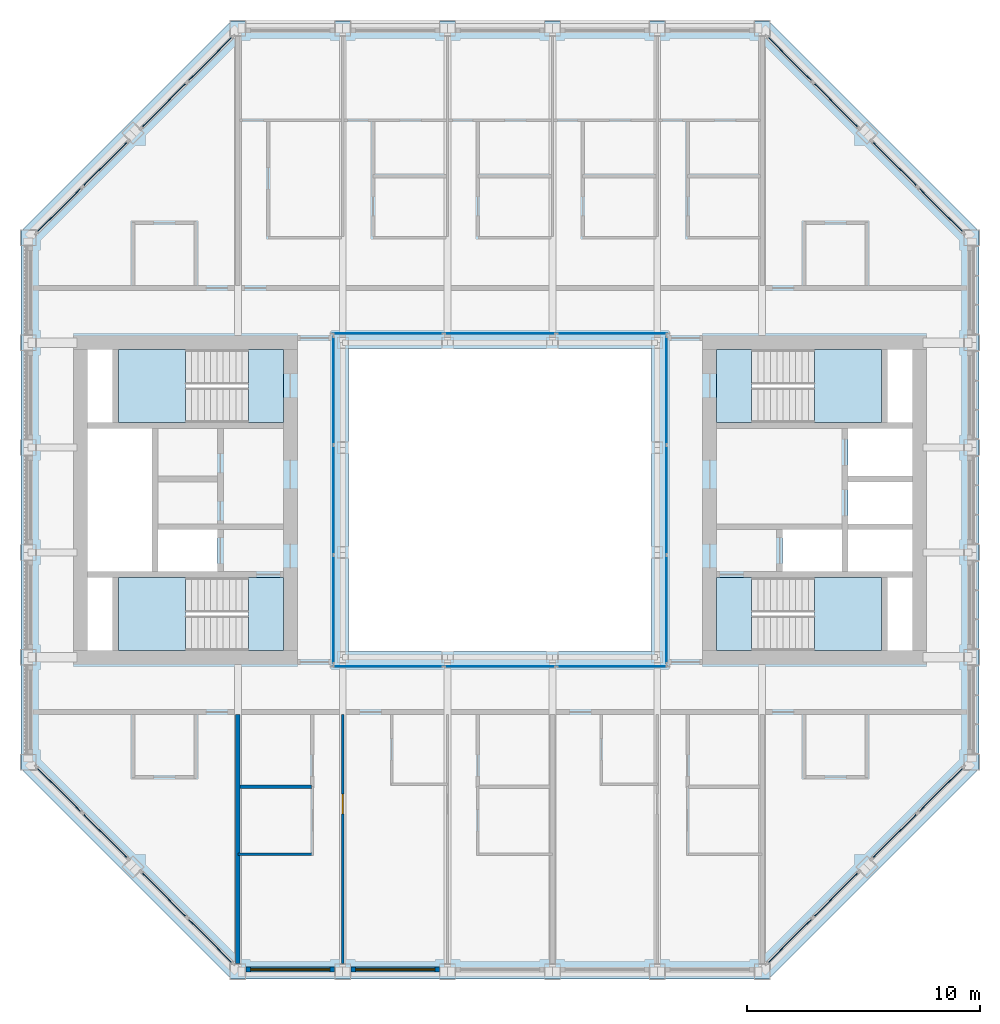
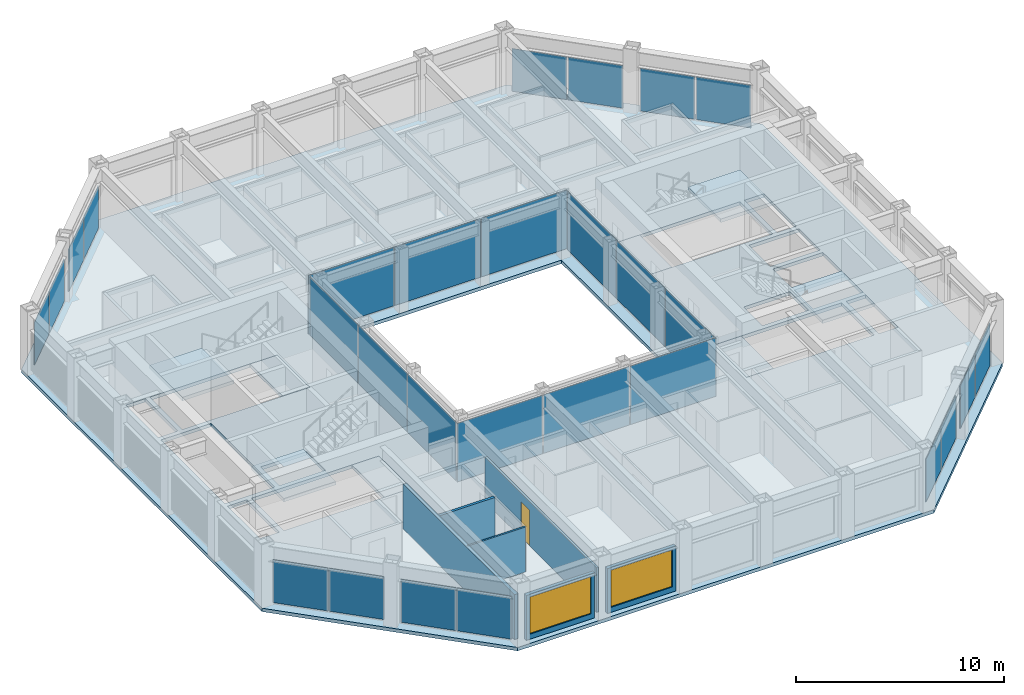
# One storey, part 8 of 18: 28 plates, 9 slabs, 6 walls, 2 windows, 1 door, 3 openings, 16 elements without a shape of their own.
"""IFC4 building model written with IfcOpenShell, lengths in metres."""

import ifcopenshell
import ifcopenshell.guid

model = None  # the IFC model being written
_history = None  # IfcOwnerHistory: only IFC2X3 demands one
_inside = {}  # id of a spatial element -> (the spatial element, [elements in it])
_under = {}  # id of a project, library or spatial element -> (it, [spatial elements below it])
_declared = {}  # id of a project -> (the project, [libraries it declares])
_typed = {}  # id of a type object -> (the type object, [elements of that type])
_made_of = {}  # id of a material, layer set ... -> (it, [elements and type objects made of it])


def new_model(schema):
    """Start an empty IFC model of exactly this schema.

    Asked for "IFC4X3", IfcOpenShell would pick the latest addendum, in which some entities
    have other attributes; the version numbers below select the first issue.
    IFC2X3 requires an IfcOwnerHistory on every rooted entity: one is made here for all.
    """
    global model, _history
    if schema == "IFC4X3":
        model = ifcopenshell.file(schema_version=(4, 3, 0, 0))
    else:
        model = ifcopenshell.file(schema=schema)
    _inside.clear()
    _under.clear()
    _declared.clear()
    _typed.clear()
    _made_of.clear()
    _history = None
    if model.schema == "IFC2X3":
        org = make("IfcOrganization", Name="unknown")
        user = make(
            "IfcPersonAndOrganization",
            ThePerson=make("IfcPerson", FamilyName="unknown"),
            TheOrganization=org,
        )
        app = make(
            "IfcApplication",
            ApplicationDeveloper=org,
            Version="unknown",
            ApplicationFullName="unknown",
            ApplicationIdentifier="unknown",
        )
        _history = make(
            "IfcOwnerHistory",
            OwningUser=user,
            OwningApplication=app,
            ChangeAction="ADDED",
            CreationDate=0,
        )
    return model


def make(cls, **values):
    """One entity of the class cls with the attributes given. An attribute that is None is left unset."""
    return model.create_entity(
        cls, **{name: value for name, value in values.items() if value is not None}
    )


def rooted(cls, **values):
    """An entity with a GlobalId (a new one), such as an element, a storey or a relation."""
    return make(cls, GlobalId=ifcopenshell.guid.new(), OwnerHistory=_history, **values)


def si_unit(unit_type, name, prefix=None):
    """IfcSIUnit, for example si_unit("LENGTHUNIT", "METRE", prefix="MILLI")."""
    return make("IfcSIUnit", UnitType=unit_type, Prefix=prefix, Name=name)


def assignment(units):
    """IfcUnitAssignment: the units of a project."""
    return None if units is None else make("IfcUnitAssignment", Units=units)


def point(xyz):
    """IfcCartesianPoint."""
    return None if xyz is None else make("IfcCartesianPoint", Coordinates=xyz)


def direction(xyz):
    """IfcDirection."""
    return None if xyz is None else make("IfcDirection", DirectionRatios=xyz)


def frame(location, z_axis=None, x_axis=None):
    """IfcAxis2Placement3D, a coordinate frame: its origin and axes. An axis left out is left unset."""
    return make(
        "IfcAxis2Placement3D",
        Location=point(location),
        Axis=direction(z_axis),
        RefDirection=direction(x_axis),
    )


def frame_2d(location, x_axis=None):
    """IfcAxis2Placement2D, a coordinate frame in the plane: its origin and x axis."""
    return make(
        "IfcAxis2Placement2D", Location=point(location), RefDirection=direction(x_axis)
    )


def origin():
    """The frame at (0, 0, 0) with its axes left unset."""
    return frame((0.0, 0.0, 0.0))


def origin_2d():
    """The frame at (0, 0) in the plane with its x axis left unset."""
    return frame_2d((0.0, 0.0))


def place(relative_to, where):
    """IfcLocalPlacement: puts the frame where relative to a parent placement (None: the world)."""
    return make(
        "IfcLocalPlacement", PlacementRelTo=relative_to, RelativePlacement=where
    )


def context(
    kind, dimensions, precision=None, world=None, true_north=None, identifier=None
):
    """IfcGeometricRepresentationContext, for example the 3D "Model" context."""
    return make(
        "IfcGeometricRepresentationContext",
        ContextIdentifier=identifier,
        ContextType=kind,
        CoordinateSpaceDimension=dimensions,
        Precision=precision,
        WorldCoordinateSystem=world,
        TrueNorth=true_north,
    )


def subcontext(parent, identifier, kind, view, scale=None):
    """IfcGeometricRepresentationSubContext, for example "Body" below "Model"."""
    return make(
        "IfcGeometricRepresentationSubContext",
        ContextIdentifier=identifier,
        ContextType=kind,
        ParentContext=parent,
        TargetScale=scale,
        TargetView=view,
    )


def project(units=None, contexts=None):
    """IfcProject with its units and contexts."""
    return rooted(
        "IfcProject",
        Name="project",
        RepresentationContexts=contexts,
        UnitsInContext=assignment(units),
    )


def spatial(cls, under=None, at=None, **own):
    """A site, building, storey or space (cls), placed at a placement, below another one or the project."""
    s = rooted(cls, ObjectPlacement=at, **own)
    if under is not None:
        _under.setdefault(under.id(), (under, []))[1].append(s)
    return s


def polyline(points):
    """IfcPolyline through the points."""
    return make("IfcPolyline", Points=[point(p) for p in points])


def profile(cls, at=None, kind="AREA", **sizes):
    """A parametric profile (cls). Its sizes go by their IFC names, for example OverallWidth=200.0."""
    return make(cls, ProfileType=kind, Position=at, **sizes)


def rectangle(**sizes):
    """IfcRectangleProfileDef."""
    return profile("IfcRectangleProfileDef", **sizes)


def outline(outer, holes=None, kind="AREA"):
    """IfcArbitraryClosedProfileDef: a profile drawn as a closed curve; with holes, ...WithVoids."""
    if holes is None:
        return make("IfcArbitraryClosedProfileDef", ProfileType=kind, OuterCurve=outer)
    return make(
        "IfcArbitraryProfileDefWithVoids",
        ProfileType=kind,
        OuterCurve=outer,
        InnerCurves=holes,
    )


def extrude(swept, where, along, depth):
    """IfcExtrudedAreaSolid: the profile swept, set in the frame where, extruded along a direction by depth."""
    return make(
        "IfcExtrudedAreaSolid",
        SweptArea=swept,
        Position=where,
        ExtrudedDirection=direction(along),
        Depth=depth,
    )


def shape(context_of_items, identifier, shape_type, items):
    """IfcShapeRepresentation: the items that make up one representation, for example the "Body"."""
    return make(
        "IfcShapeRepresentation",
        ContextOfItems=context_of_items,
        RepresentationIdentifier=identifier,
        RepresentationType=shape_type,
        Items=items,
    )


def material(Name=None, Category=None):
    """IfcMaterial."""
    return make("IfcMaterial", Name=Name, Category=Category)


def layer(
    of_material, thickness, ventilated=None, Name=None, Category=None, Priority=None
):
    """IfcMaterialLayer: one layer of a wall or slab, of a material (None: an air gap)."""
    return make(
        "IfcMaterialLayer",
        Material=of_material,
        LayerThickness=thickness,
        IsVentilated=ventilated,
        Name=Name,
        Category=Category,
        Priority=Priority,
    )


def layer_set(layers, Name=None):
    """IfcMaterialLayerSet."""
    return make("IfcMaterialLayerSet", MaterialLayers=layers, LayerSetName=Name)


def made_of(thing, what):
    """Note that an element or type object is made of a material, layer set ...; save() writes the relation."""
    if what is not None:
        _made_of.setdefault(what.id(), (what, []))[1].append(thing)
    return thing


def type_object(cls, material=None, **own):
    """A type object (cls), such as IfcWallType, which elements share."""
    return made_of(rooted(cls, **own), material)


def element(
    cls,
    number,
    at=None,
    inside=None,
    cuts=None,
    type_object=None,
    material=None,
    context=None,
    identifier="Body",
    shape_type=None,
    held_by="IfcProductDefinitionShape",
    body=None,
    shapes=None,
    **own,
):
    """One element of the class cls, such as IfcWall. Its Tag is "e" and its number.

    at: its placement. inside: the storey or other place that contains it. cuts: it is an
    opening in that element (IfcRelVoidsElement). A single representation is given by context,
    identifier, shape_type and body (its items); several are given by shapes. held_by: the class
    of the entity that holds the representations. save() writes the other relations.
    """
    e = rooted(cls, Tag="e%d" % number, ObjectPlacement=at, **own)
    if body is not None:
        shapes = [shape(context, identifier, shape_type, body)]
    if shapes is not None:
        e.Representation = make(held_by, Representations=shapes)
    if inside is not None:
        _inside.setdefault(inside.id(), (inside, []))[1].append(e)
    if cuts is not None:
        rooted(
            "IfcRelVoidsElement", RelatingBuildingElement=cuts, RelatedOpeningElement=e
        )
    if type_object is not None:
        _typed.setdefault(type_object.id(), (type_object, []))[1].append(e)
    return made_of(e, material)


def fill(opening, filler):
    """IfcRelFillsElement: the door or window that sits in an opening."""
    return rooted(
        "IfcRelFillsElement",
        RelatingOpeningElement=opening,
        RelatedBuildingElement=filler,
    )


def aggregate(whole, parts):
    """IfcRelAggregates: a whole, such as a stair, and the parts it consists of."""
    return rooted("IfcRelAggregates", RelatingObject=whole, RelatedObjects=parts)


def save(model, path):
    """Write the relations noted so far, then the file.

    IfcRelAggregates (storeys below a building ...), IfcRelContainedInSpatialStructure (elements
    in a storey), IfcRelDefinesByType, IfcRelAssociatesMaterial and IfcRelDeclares: one each for
    every whole, place, type object, material and project.
    """
    for whole, parts in _under.values():
        aggregate(whole, parts)
    for where, things in _inside.values():
        rooted(
            "IfcRelContainedInSpatialStructure",
            RelatedElements=things,
            RelatingStructure=where,
        )
    for kind, things in _typed.values():
        rooted("IfcRelDefinesByType", RelatedObjects=things, RelatingType=kind)
    for what, things in _made_of.values():
        rooted("IfcRelAssociatesMaterial", RelatedObjects=things, RelatingMaterial=what)
    for by, libraries in _declared.values():
        rooted("IfcRelDeclares", RelatingContext=by, RelatedDefinitions=libraries)
    model.write(path)


model = new_model("IFC4")

# Units and contexts
model_context = context("Model", 3, precision=1e-05, world=origin(), true_north=direction((0.0, 1.0)))
body_context = subcontext(model_context, "Body", "Model", "MODEL_VIEW")
ifc_project = project(units=[si_unit("LENGTHUNIT", "METRE"), si_unit("AREAUNIT", "SQUARE_METRE"), si_unit("VOLUMEUNIT", "CUBIC_METRE"), si_unit("PLANEANGLEUNIT", "RADIAN"), si_unit("MASSUNIT", "GRAM", prefix="KILO")], contexts=[model_context])

# Site, building, storey
site_placement = place(None, origin())
site = spatial("IfcSite", under=ifc_project, at=site_placement, CompositionType="ELEMENT")
building_placement = place(site_placement, origin())
building = spatial("IfcBuilding", under=site, at=building_placement, Name="Msasa Ring Tower", CompositionType="ELEMENT")
storey_placement = place(building_placement, frame((0.0, 0.0, 245.800048828125)))
storey = spatial("IfcBuildingStorey", under=building, at=storey_placement, Name="L64", CompositionType="ELEMENT", Elevation=245.800048828125)

# Curtain wall, plates
ifc_material_1 = material(Name="Aluminium curtain wall with clear glass", Category="aluminium")
curtain_wall_type_1 = type_object("IfcCurtainWallType", Name="CW-C CHAMFER CORNER CURTAIN WALL", PredefinedType="NOTDEFINED", material=ifc_material_1)
curtain_wall_1_placement = place(storey_placement, origin())
curtain_wall_1 = element("IfcCurtainWall", 1, at=curtain_wall_1_placement, inside=storey, type_object=curtain_wall_type_1, Name="Chamfer corner curtain wall SE L64", PredefinedType="NOTDEFINED")
ifc_material_2 = material(Name="Clear laminated insulating glass unit", Category="glass")
ifc_layer_1 = layer(ifc_material_2, 0.031982421875)
ifc_layer_set_1 = layer_set([ifc_layer_1], Name="CW-C GLASS PANEL 32")
plate_type_1 = type_object("IfcPlateType", Name="CW-C GLASS PANEL 32", PredefinedType="CURTAIN_PANEL", material=ifc_layer_set_1)
plate_1_placement = place(storey_placement, frame((12.44140625, -18.917236328125, 0.06494140625), z_axis=(0.0, 0.0, 1.0), x_axis=(0.707106781187, 0.707106781187, 0.0)))
plate_1 = element("IfcPlate", 2, at=plate_1_placement, type_object=plate_type_1, Name="CW-C panel 1.1", PredefinedType="CURTAIN_PANEL", context=body_context, shape_type="SweptSolid", body=[
    extrude(rectangle(XDim=2.7294921875, YDim=0.031982421875, at=origin_2d()), origin(), (0.0, 0.0, 1.0), 2.4990234375),
])
plate_2_placement = place(storey_placement, frame((14.417236328125, -16.94140625, 0.06494140625), z_axis=(0.0, 0.0, 1.0), x_axis=(0.707106781187, 0.707106781187, 0.0)))
plate_2 = element("IfcPlate", 3, at=plate_2_placement, type_object=plate_type_1, Name="CW-C panel 2.1", PredefinedType="CURTAIN_PANEL", context=body_context, shape_type="SweptSolid", body=[
    extrude(rectangle(XDim=2.7294921875, YDim=0.031982421875, at=origin_2d()), origin(), (0.0, 0.0, 1.0), 2.4990234375),
])
aggregate(curtain_wall_1, [plate_1, plate_2])

curtain_wall_2_placement = place(storey_placement, origin())
curtain_wall_2 = element("IfcCurtainWall", 4, at=curtain_wall_2_placement, inside=storey, type_object=curtain_wall_type_1, Name="Chamfer corner curtain wall SE L64", PredefinedType="NOTDEFINED")
plate_3_placement = place(storey_placement, frame((16.94140625, -14.417236328125, 0.06494140625), z_axis=(0.0, 0.0, 1.0), x_axis=(0.707106781187, 0.707106781187, 0.0)))
plate_3 = element("IfcPlate", 5, at=plate_3_placement, type_object=plate_type_1, Name="CW-C panel 1.1", PredefinedType="CURTAIN_PANEL", context=body_context, shape_type="SweptSolid", body=[
    extrude(rectangle(XDim=2.7294921875, YDim=0.031982421875, at=origin_2d()), origin(), (0.0, 0.0, 1.0), 2.4990234375),
])
plate_4_placement = place(storey_placement, frame((18.917236328125, -12.44140625, 0.06494140625), z_axis=(0.0, 0.0, 1.0), x_axis=(0.707106781187, 0.707106781187, 0.0)))
plate_4 = element("IfcPlate", 6, at=plate_4_placement, type_object=plate_type_1, Name="CW-C panel 2.1", PredefinedType="CURTAIN_PANEL", context=body_context, shape_type="SweptSolid", body=[
    extrude(rectangle(XDim=2.7294921875, YDim=0.031982421875, at=origin_2d()), origin(), (0.0, 0.0, 1.0), 2.4990234375),
])
aggregate(curtain_wall_2, [plate_3, plate_4])

curtain_wall_3_placement = place(storey_placement, origin())
curtain_wall_3 = element("IfcCurtainWall", 7, at=curtain_wall_3_placement, inside=storey, type_object=curtain_wall_type_1, Name="Chamfer corner curtain wall NE L64", PredefinedType="NOTDEFINED")
plate_5_placement = place(storey_placement, frame((14.417236328125, 16.94140625, 0.06494140625), z_axis=(0.0, 0.0, 1.0), x_axis=(-0.707106781187, 0.707106781187, 0.0)))
plate_5 = element("IfcPlate", 8, at=plate_5_placement, type_object=plate_type_1, Name="CW-C panel 1.1", PredefinedType="CURTAIN_PANEL", context=body_context, shape_type="SweptSolid", body=[
    extrude(rectangle(XDim=2.7294921875, YDim=0.031982421875, at=origin_2d()), origin(), (0.0, 0.0, 1.0), 2.4990234375),
])
plate_6_placement = place(storey_placement, frame((12.44140625, 18.917236328125, 0.06494140625), z_axis=(0.0, 0.0, 1.0), x_axis=(-0.707106781187, 0.707106781187, 0.0)))
plate_6 = element("IfcPlate", 9, at=plate_6_placement, type_object=plate_type_1, Name="CW-C panel 2.1", PredefinedType="CURTAIN_PANEL", context=body_context, shape_type="SweptSolid", body=[
    extrude(rectangle(XDim=2.7294921875, YDim=0.031982421875, at=origin_2d()), origin(), (0.0, 0.0, 1.0), 2.4990234375),
])
aggregate(curtain_wall_3, [plate_5, plate_6])

curtain_wall_4_placement = place(storey_placement, origin())
curtain_wall_4 = element("IfcCurtainWall", 10, at=curtain_wall_4_placement, inside=storey, type_object=curtain_wall_type_1, Name="Chamfer corner curtain wall NE L64", PredefinedType="NOTDEFINED")
plate_7_placement = place(storey_placement, frame((18.917236328125, 12.44140625, 0.06494140625), z_axis=(0.0, 0.0, 1.0), x_axis=(-0.707106781187, 0.707106781187, 0.0)))
plate_7 = element("IfcPlate", 11, at=plate_7_placement, type_object=plate_type_1, Name="CW-C panel 1.1", PredefinedType="CURTAIN_PANEL", context=body_context, shape_type="SweptSolid", body=[
    extrude(rectangle(XDim=2.7294921875, YDim=0.031982421875, at=origin_2d()), origin(), (0.0, 0.0, 1.0), 2.4990234375),
])
plate_8_placement = place(storey_placement, frame((16.94140625, 14.417236328125, 0.06494140625), z_axis=(0.0, 0.0, 1.0), x_axis=(-0.707106781187, 0.707106781187, 0.0)))
plate_8 = element("IfcPlate", 12, at=plate_8_placement, type_object=plate_type_1, Name="CW-C panel 2.1", PredefinedType="CURTAIN_PANEL", context=body_context, shape_type="SweptSolid", body=[
    extrude(rectangle(XDim=2.7294921875, YDim=0.031982421875, at=origin_2d()), origin(), (0.0, 0.0, 1.0), 2.4990234375),
])
aggregate(curtain_wall_4, [plate_7, plate_8])

curtain_wall_5_placement = place(storey_placement, origin())
curtain_wall_5 = element("IfcCurtainWall", 13, at=curtain_wall_5_placement, inside=storey, type_object=curtain_wall_type_1, Name="Chamfer corner curtain wall NW L64", PredefinedType="NOTDEFINED")
plate_9_placement = place(storey_placement, frame((-16.94140625, 14.417236328125, 0.06494140625), z_axis=(0.0, 0.0, 1.0), x_axis=(-0.707106781187, -0.707106781187, 0.0)))
plate_9 = element("IfcPlate", 14, at=plate_9_placement, type_object=plate_type_1, Name="CW-C panel 1.1", PredefinedType="CURTAIN_PANEL", context=body_context, shape_type="SweptSolid", body=[
    extrude(rectangle(XDim=2.7294921875, YDim=0.031982421875, at=origin_2d()), origin(), (0.0, 0.0, 1.0), 2.4990234375),
])
plate_10_placement = place(storey_placement, frame((-18.917236328125, 12.44140625, 0.06494140625), z_axis=(0.0, 0.0, 1.0), x_axis=(-0.707106781187, -0.707106781187, 0.0)))
plate_10 = element("IfcPlate", 15, at=plate_10_placement, type_object=plate_type_1, Name="CW-C panel 2.1", PredefinedType="CURTAIN_PANEL", context=body_context, shape_type="SweptSolid", body=[
    extrude(rectangle(XDim=2.7294921875, YDim=0.031982421875, at=origin_2d()), origin(), (0.0, 0.0, 1.0), 2.4990234375),
])
aggregate(curtain_wall_5, [plate_9, plate_10])

curtain_wall_6_placement = place(storey_placement, origin())
curtain_wall_6 = element("IfcCurtainWall", 16, at=curtain_wall_6_placement, inside=storey, type_object=curtain_wall_type_1, Name="Chamfer corner curtain wall NW L64", PredefinedType="NOTDEFINED")
plate_11_placement = place(storey_placement, frame((-12.44140625, 18.917236328125, 0.06494140625), z_axis=(0.0, 0.0, 1.0), x_axis=(-0.707106781187, -0.707106781187, 0.0)))
plate_11 = element("IfcPlate", 17, at=plate_11_placement, type_object=plate_type_1, Name="CW-C panel 1.1", PredefinedType="CURTAIN_PANEL", context=body_context, shape_type="SweptSolid", body=[
    extrude(rectangle(XDim=2.7294921875, YDim=0.031982421875, at=origin_2d()), origin(), (0.0, 0.0, 1.0), 2.4990234375),
])
plate_12_placement = place(storey_placement, frame((-14.417236328125, 16.94140625, 0.06494140625), z_axis=(0.0, 0.0, 1.0), x_axis=(-0.707106781187, -0.707106781187, 0.0)))
plate_12 = element("IfcPlate", 18, at=plate_12_placement, type_object=plate_type_1, Name="CW-C panel 2.1", PredefinedType="CURTAIN_PANEL", context=body_context, shape_type="SweptSolid", body=[
    extrude(rectangle(XDim=2.7294921875, YDim=0.031982421875, at=origin_2d()), origin(), (0.0, 0.0, 1.0), 2.4990234375),
])
aggregate(curtain_wall_6, [plate_11, plate_12])

curtain_wall_7_placement = place(storey_placement, origin())
curtain_wall_7 = element("IfcCurtainWall", 19, at=curtain_wall_7_placement, inside=storey, type_object=curtain_wall_type_1, Name="Chamfer corner curtain wall SW L64", PredefinedType="NOTDEFINED")
plate_13_placement = place(storey_placement, frame((-18.917236328125, -12.44140625, 0.06494140625), z_axis=(0.0, 0.0, 1.0), x_axis=(0.707106781187, -0.707106781187, 0.0)))
plate_13 = element("IfcPlate", 20, at=plate_13_placement, type_object=plate_type_1, Name="CW-C panel 1.1", PredefinedType="CURTAIN_PANEL", context=body_context, shape_type="SweptSolid", body=[
    extrude(rectangle(XDim=2.7294921875, YDim=0.031982421875, at=origin_2d()), origin(), (0.0, 0.0, 1.0), 2.4990234375),
])
plate_14_placement = place(storey_placement, frame((-16.94140625, -14.417236328125, 0.06494140625), z_axis=(0.0, 0.0, 1.0), x_axis=(0.707106781187, -0.707106781187, 0.0)))
plate_14 = element("IfcPlate", 21, at=plate_14_placement, type_object=plate_type_1, Name="CW-C panel 2.1", PredefinedType="CURTAIN_PANEL", context=body_context, shape_type="SweptSolid", body=[
    extrude(rectangle(XDim=2.7294921875, YDim=0.031982421875, at=origin_2d()), origin(), (0.0, 0.0, 1.0), 2.4990234375),
])
aggregate(curtain_wall_7, [plate_13, plate_14])

curtain_wall_8_placement = place(storey_placement, origin())
curtain_wall_8 = element("IfcCurtainWall", 22, at=curtain_wall_8_placement, inside=storey, type_object=curtain_wall_type_1, Name="Chamfer corner curtain wall SW L64", PredefinedType="NOTDEFINED")
plate_15_placement = place(storey_placement, frame((-14.417236328125, -16.94140625, 0.06494140625), z_axis=(0.0, 0.0, 1.0), x_axis=(0.707106781187, -0.707106781187, 0.0)))
plate_15 = element("IfcPlate", 23, at=plate_15_placement, type_object=plate_type_1, Name="CW-C panel 1.1", PredefinedType="CURTAIN_PANEL", context=body_context, shape_type="SweptSolid", body=[
    extrude(rectangle(XDim=2.7294921875, YDim=0.031982421875, at=origin_2d()), origin(), (0.0, 0.0, 1.0), 2.4990234375),
])
plate_16_placement = place(storey_placement, frame((-12.44140625, -18.917236328125, 0.06494140625), z_axis=(0.0, 0.0, 1.0), x_axis=(0.707106781187, -0.707106781187, 0.0)))
plate_16 = element("IfcPlate", 24, at=plate_16_placement, type_object=plate_type_1, Name="CW-C panel 2.1", PredefinedType="CURTAIN_PANEL", context=body_context, shape_type="SweptSolid", body=[
    extrude(rectangle(XDim=2.7294921875, YDim=0.031982421875, at=origin_2d()), origin(), (0.0, 0.0, 1.0), 2.4990234375),
])
aggregate(curtain_wall_8, [plate_15, plate_16])

ifc_material_3 = material(Name="Aluminium curtain wall with clear glass", Category="aluminium")
curtain_wall_type_2 = type_object("IfcCurtainWallType", Name="CW-W LIGHT WELL CURTAIN WALL", PredefinedType="NOTDEFINED", material=ifc_material_3)
curtain_wall_9_placement = place(storey_placement, origin())
curtain_wall_9 = element("IfcCurtainWall", 25, at=curtain_wall_9_placement, inside=storey, type_object=curtain_wall_type_2, Name="Light well curtain wall N L64", PredefinedType="NOTDEFINED")
ifc_material_4 = material(Name="Clear laminated insulating glass unit", Category="glass")
ifc_layer_2 = layer(ifc_material_4, 0.028076171875)
ifc_layer_set_2 = layer_set([ifc_layer_2], Name="CW-W GLASS PANEL 28")
plate_type_2 = type_object("IfcPlateType", Name="CW-W GLASS PANEL 28", PredefinedType="CURTAIN_PANEL", material=ifc_layer_set_2)
plate_17_placement = place(storey_placement, frame((-4.804931640625, 7.14990234375, 0.06005859375), z_axis=(0.0, 0.0, 1.0), x_axis=(1.0, 0.0, 0.0)))
plate_17 = element("IfcPlate", 26, at=plate_17_placement, type_object=plate_type_2, Name="CW-W panel 1.1", PredefinedType="CURTAIN_PANEL", context=body_context, shape_type="SweptSolid", body=[
    extrude(rectangle(XDim=4.72998046875, YDim=0.028076171875, at=origin_2d()), origin(), (0.0, 0.0, 1.0), 3.429931640625),
])
plate_18_placement = place(storey_placement, frame((0.0, 7.14990234375, 0.06005859375), z_axis=(0.0, 0.0, 1.0), x_axis=(1.0, 0.0, 0.0)))
plate_18 = element("IfcPlate", 27, at=plate_18_placement, type_object=plate_type_2, Name="CW-W panel 2.1", PredefinedType="CURTAIN_PANEL", context=body_context, shape_type="SweptSolid", body=[
    extrude(rectangle(XDim=4.760009765625, YDim=0.028076171875, at=origin_2d()), origin(), (0.0, 0.0, 1.0), 3.429931640625),
])
plate_19_placement = place(storey_placement, frame((4.804931640625, 7.14990234375, 0.06005859375), z_axis=(0.0, 0.0, 1.0), x_axis=(1.0, 0.0, 0.0)))
plate_19 = element("IfcPlate", 28, at=plate_19_placement, type_object=plate_type_2, Name="CW-W panel 3.1", PredefinedType="CURTAIN_PANEL", context=body_context, shape_type="SweptSolid", body=[
    extrude(rectangle(XDim=4.72998046875, YDim=0.028076171875, at=origin_2d()), origin(), (0.0, 0.0, 1.0), 3.429931640625),
])
aggregate(curtain_wall_9, [plate_17, plate_18, plate_19])

curtain_wall_10_placement = place(storey_placement, origin())
curtain_wall_10 = element("IfcCurtainWall", 29, at=curtain_wall_10_placement, inside=storey, type_object=curtain_wall_type_2, Name="Light well curtain wall S L64", PredefinedType="NOTDEFINED")
plate_20_placement = place(storey_placement, frame((-4.804931640625, -7.14990234375, 0.06005859375), z_axis=(0.0, 0.0, 1.0), x_axis=(1.0, 0.0, 0.0)))
plate_20 = element("IfcPlate", 30, at=plate_20_placement, type_object=plate_type_2, Name="CW-W panel 1.1", PredefinedType="CURTAIN_PANEL", context=body_context, shape_type="SweptSolid", body=[
    extrude(rectangle(XDim=4.72998046875, YDim=0.028076171875, at=origin_2d()), origin(), (0.0, 0.0, 1.0), 3.429931640625),
])
plate_21_placement = place(storey_placement, frame((0.0, -7.14990234375, 0.06005859375), z_axis=(0.0, 0.0, 1.0), x_axis=(1.0, 0.0, 0.0)))
plate_21 = element("IfcPlate", 31, at=plate_21_placement, type_object=plate_type_2, Name="CW-W panel 2.1", PredefinedType="CURTAIN_PANEL", context=body_context, shape_type="SweptSolid", body=[
    extrude(rectangle(XDim=4.760009765625, YDim=0.028076171875, at=origin_2d()), origin(), (0.0, 0.0, 1.0), 3.429931640625),
])
plate_22_placement = place(storey_placement, frame((4.804931640625, -7.14990234375, 0.06005859375), z_axis=(0.0, 0.0, 1.0), x_axis=(1.0, 0.0, 0.0)))
plate_22 = element("IfcPlate", 32, at=plate_22_placement, type_object=plate_type_2, Name="CW-W panel 3.1", PredefinedType="CURTAIN_PANEL", context=body_context, shape_type="SweptSolid", body=[
    extrude(rectangle(XDim=4.72998046875, YDim=0.028076171875, at=origin_2d()), origin(), (0.0, 0.0, 1.0), 3.429931640625),
])
aggregate(curtain_wall_10, [plate_20, plate_21, plate_22])

curtain_wall_11_placement = place(storey_placement, origin())
curtain_wall_11 = element("IfcCurtainWall", 33, at=curtain_wall_11_placement, inside=storey, type_object=curtain_wall_type_2, Name="Light well curtain wall E L64", PredefinedType="NOTDEFINED")
plate_23_placement = place(storey_placement, frame((7.14990234375, -4.6982421875, 0.06005859375), z_axis=(0.0, 0.0, 1.0), x_axis=(0.0, 1.0, 0.0)))
plate_23 = element("IfcPlate", 34, at=plate_23_placement, type_object=plate_type_2, Name="CW-W panel 1.1", PredefinedType="CURTAIN_PANEL", context=body_context, shape_type="SweptSolid", body=[
    extrude(rectangle(XDim=4.623291015625, YDim=0.028076171875, at=origin_2d()), origin(), (0.0, 0.0, 1.0), 3.429931640625),
])
plate_24_placement = place(storey_placement, frame((7.14990234375, 0.0, 0.06005859375), z_axis=(0.0, 0.0, 1.0), x_axis=(0.0, 1.0, 0.0)))
plate_24 = element("IfcPlate", 35, at=plate_24_placement, type_object=plate_type_2, Name="CW-W panel 2.1", PredefinedType="CURTAIN_PANEL", context=body_context, shape_type="SweptSolid", body=[
    extrude(rectangle(XDim=4.6533203125, YDim=0.028076171875, at=origin_2d()), origin(), (0.0, 0.0, 1.0), 3.429931640625),
])
plate_25_placement = place(storey_placement, frame((7.14990234375, 4.6982421875, 0.06005859375), z_axis=(0.0, 0.0, 1.0), x_axis=(0.0, 1.0, 0.0)))
plate_25 = element("IfcPlate", 36, at=plate_25_placement, type_object=plate_type_2, Name="CW-W panel 3.1", PredefinedType="CURTAIN_PANEL", context=body_context, shape_type="SweptSolid", body=[
    extrude(rectangle(XDim=4.623291015625, YDim=0.028076171875, at=origin_2d()), origin(), (0.0, 0.0, 1.0), 3.429931640625),
])
aggregate(curtain_wall_11, [plate_23, plate_24, plate_25])

curtain_wall_12_placement = place(storey_placement, origin())
curtain_wall_12 = element("IfcCurtainWall", 37, at=curtain_wall_12_placement, inside=storey, type_object=curtain_wall_type_2, Name="Light well curtain wall W L64", PredefinedType="NOTDEFINED")
plate_26_placement = place(storey_placement, frame((-7.14990234375, -4.6982421875, 0.06005859375), z_axis=(0.0, 0.0, 1.0), x_axis=(0.0, 1.0, 0.0)))
plate_26 = element("IfcPlate", 38, at=plate_26_placement, type_object=plate_type_2, Name="CW-W panel 1.1", PredefinedType="CURTAIN_PANEL", context=body_context, shape_type="SweptSolid", body=[
    extrude(rectangle(XDim=4.623291015625, YDim=0.028076171875, at=origin_2d()), origin(), (0.0, 0.0, 1.0), 3.429931640625),
])
plate_27_placement = place(storey_placement, frame((-7.14990234375, 0.0, 0.06005859375), z_axis=(0.0, 0.0, 1.0), x_axis=(0.0, 1.0, 0.0)))
plate_27 = element("IfcPlate", 39, at=plate_27_placement, type_object=plate_type_2, Name="CW-W panel 2.1", PredefinedType="CURTAIN_PANEL", context=body_context, shape_type="SweptSolid", body=[
    extrude(rectangle(XDim=4.6533203125, YDim=0.028076171875, at=origin_2d()), origin(), (0.0, 0.0, 1.0), 3.429931640625),
])
plate_28_placement = place(storey_placement, frame((-7.14990234375, 4.6982421875, 0.06005859375), z_axis=(0.0, 0.0, 1.0), x_axis=(0.0, 1.0, 0.0)))
plate_28 = element("IfcPlate", 40, at=plate_28_placement, type_object=plate_type_2, Name="CW-W panel 3.1", PredefinedType="CURTAIN_PANEL", context=body_context, shape_type="SweptSolid", body=[
    extrude(rectangle(XDim=4.623291015625, YDim=0.028076171875, at=origin_2d()), origin(), (0.0, 0.0, 1.0), 3.429931640625),
])
aggregate(curtain_wall_12, [plate_26, plate_27, plate_28])

# Stair, slabs
ifc_material_5 = material(Name="Concrete C40/50", Category="concrete")
stair_type = type_object("IfcStairType", Name="STC CORE STAIR 22 RISERS 170.5", PredefinedType="HALF_TURN_STAIR", material=ifc_material_5)
stair_1_placement = place(storey_placement, origin())
stair_1 = element("IfcStair", 41, at=stair_1_placement, inside=storey, type_object=stair_type, Name="Core stair SEA L64", PredefinedType="HALF_TURN_STAIR")
ifc_material_6 = material(Name="Concrete C40/50", Category="concrete")
ifc_layer_3 = layer(ifc_material_6, 0.199951171875)
ifc_layer_set_3 = layer_set([ifc_layer_3], Name="LD1 CORE STAIR LANDING 200")
slab_type_1 = type_object("IfcSlabType", Name="LD1 CORE STAIR LANDING 200", PredefinedType="LANDING", material=ifc_layer_set_3)
slab_1_placement = place(storey_placement, frame((0.0, 0.0, -0.199951171875)))
slab_1 = element("IfcSlab", 42, at=slab_1_placement, type_object=slab_type_1, Name="SEA landing 1", PredefinedType="LANDING", context=body_context, shape_type="SweptSolid", body=[
    extrude(outline(polyline([(9.300048828125, -6.449951171875), (10.800048828125, -6.449951171875), (10.800048828125, -3.324951171875), (9.300048828125, -3.324951171875), (9.300048828125, -6.449951171875)])), origin(), (0.0, 0.0, 1.0), 0.199951171875),
])
slab_2_placement = place(storey_placement, frame((0.0, 0.0, 1.675048828125)))
slab_2 = element("IfcSlab", 43, at=slab_2_placement, type_object=slab_type_1, Name="SEA landing 2", PredefinedType="LANDING", context=body_context, shape_type="SweptSolid", body=[
    extrude(outline(polyline([(13.5, -6.449951171875), (16.375, -6.449951171875), (16.375, -3.324951171875), (13.5, -3.324951171875), (13.5, -6.449951171875)])), origin(), (0.0, 0.0, 1.0), 0.199951171875),
])
aggregate(stair_1, [slab_1, slab_2])

stair_2_placement = place(storey_placement, origin())
stair_2 = element("IfcStair", 44, at=stair_2_placement, inside=storey, type_object=stair_type, Name="Core stair SEB L64", PredefinedType="HALF_TURN_STAIR")
slab_3_placement = place(storey_placement, frame((0.0, 0.0, -0.199951171875)))
slab_3 = element("IfcSlab", 45, at=slab_3_placement, type_object=slab_type_1, Name="SEB landing 1", PredefinedType="LANDING", context=body_context, shape_type="SweptSolid", body=[
    extrude(outline(polyline([(9.300048828125, 3.324951171875), (10.800048828125, 3.324951171875), (10.800048828125, 6.449951171875), (9.300048828125, 6.449951171875), (9.300048828125, 3.324951171875)])), origin(), (0.0, 0.0, 1.0), 0.199951171875),
])
slab_4_placement = place(storey_placement, frame((0.0, 0.0, 1.675048828125)))
slab_4 = element("IfcSlab", 46, at=slab_4_placement, type_object=slab_type_1, Name="SEB landing 2", PredefinedType="LANDING", context=body_context, shape_type="SweptSolid", body=[
    extrude(outline(polyline([(13.5, 3.324951171875), (16.375, 3.324951171875), (16.375, 6.449951171875), (13.5, 6.449951171875), (13.5, 3.324951171875)])), origin(), (0.0, 0.0, 1.0), 0.199951171875),
])
aggregate(stair_2, [slab_3, slab_4])

stair_3_placement = place(storey_placement, origin())
stair_3 = element("IfcStair", 47, at=stair_3_placement, inside=storey, type_object=stair_type, Name="Core stair SWA L64", PredefinedType="HALF_TURN_STAIR")
slab_5_placement = place(storey_placement, frame((0.0, 0.0, -0.199951171875)))
slab_5 = element("IfcSlab", 48, at=slab_5_placement, type_object=slab_type_1, Name="SWA landing 1", PredefinedType="LANDING", context=body_context, shape_type="SweptSolid", body=[
    extrude(outline(polyline([(-10.800048828125, -6.449951171875), (-9.300048828125, -6.449951171875), (-9.300048828125, -3.324951171875), (-10.800048828125, -3.324951171875), (-10.800048828125, -6.449951171875)])), origin(), (0.0, 0.0, 1.0), 0.199951171875),
])
slab_6_placement = place(storey_placement, frame((0.0, 0.0, 1.675048828125)))
slab_6 = element("IfcSlab", 49, at=slab_6_placement, type_object=slab_type_1, Name="SWA landing 2", PredefinedType="LANDING", context=body_context, shape_type="SweptSolid", body=[
    extrude(outline(polyline([(-16.375, -6.449951171875), (-13.5, -6.449951171875), (-13.5, -3.324951171875), (-16.375, -3.324951171875), (-16.375, -6.449951171875)])), origin(), (0.0, 0.0, 1.0), 0.199951171875),
])
aggregate(stair_3, [slab_5, slab_6])

stair_4_placement = place(storey_placement, origin())
stair_4 = element("IfcStair", 50, at=stair_4_placement, inside=storey, type_object=stair_type, Name="Core stair SWB L64", PredefinedType="HALF_TURN_STAIR")
slab_7_placement = place(storey_placement, frame((0.0, 0.0, -0.199951171875)))
slab_7 = element("IfcSlab", 51, at=slab_7_placement, type_object=slab_type_1, Name="SWB landing 1", PredefinedType="LANDING", context=body_context, shape_type="SweptSolid", body=[
    extrude(outline(polyline([(-10.800048828125, 3.324951171875), (-9.300048828125, 3.324951171875), (-9.300048828125, 6.449951171875), (-10.800048828125, 6.449951171875), (-10.800048828125, 3.324951171875)])), origin(), (0.0, 0.0, 1.0), 0.199951171875),
])
slab_8_placement = place(storey_placement, frame((0.0, 0.0, 1.675048828125)))
slab_8 = element("IfcSlab", 52, at=slab_8_placement, type_object=slab_type_1, Name="SWB landing 2", PredefinedType="LANDING", context=body_context, shape_type="SweptSolid", body=[
    extrude(outline(polyline([(-16.375, 3.324951171875), (-13.5, 3.324951171875), (-13.5, 6.449951171875), (-16.375, 6.449951171875), (-16.375, 3.324951171875)])), origin(), (0.0, 0.0, 1.0), 0.199951171875),
])
aggregate(stair_4, [slab_7, slab_8])

# Slab
ifc_material_7 = material(Name="Concrete C40/50", Category="concrete")
ifc_layer_4 = layer(ifc_material_7, 0.199951171875)
ifc_layer_set_4 = layer_set([ifc_layer_4], Name="S8 SUITE FLOOR 200")
slab_type_2 = type_object("IfcSlabType", Name="S8 SUITE FLOOR 200", PredefinedType="FLOOR", material=ifc_layer_set_4)
slab_9_placement = place(storey_placement, frame((0.0, 0.0, -0.199951171875)))
element("IfcSlab", 53, at=slab_9_placement, inside=storey, type_object=slab_type_2, Name="Floor slab L64", PredefinedType="FLOOR", context=body_context, shape_type="SweptSolid", body=[
    extrude(outline(polyline([(-11.550048828125, -20.550048828125), (11.550048828125, -20.550048828125), (20.550048828125, -11.550048828125), (20.550048828125, 11.550048828125), (11.550048828125, 20.550048828125), (-11.550048828125, 20.550048828125), (-20.550048828125, 11.550048828125), (-20.550048828125, -11.550048828125), (-11.550048828125, -20.550048828125)]), holes=[polyline([(-6.5, -6.5), (6.5, -6.5), (6.5, 6.5), (-6.5, 6.5), (-6.5, -6.5)]), polyline([(9.300048828125, -6.449951171875), (16.375, -6.449951171875), (16.375, -3.324951171875), (9.300048828125, -3.324951171875), (9.300048828125, -6.449951171875)]), polyline([(9.300048828125, 3.324951171875), (16.375, 3.324951171875), (16.375, 6.449951171875), (9.300048828125, 6.449951171875), (9.300048828125, 3.324951171875)]), polyline([(12.125, -3.074951171875), (14.675048828125, -3.074951171875), (14.675048828125, -1.27490234375), (12.125, -1.27490234375), (12.125, -3.074951171875)]), polyline([(16.625, -6.449951171875), (17.699951171875, -6.449951171875), (17.699951171875, -3.324951171875), (16.625, -3.324951171875), (16.625, -6.449951171875)]), polyline([(16.625, 3.324951171875), (17.699951171875, 3.324951171875), (17.699951171875, 6.449951171875), (16.625, 6.449951171875), (16.625, 3.324951171875)]), polyline([(14.925048828125, -3.074951171875), (17.699951171875, -3.074951171875), (17.699951171875, -1.27490234375), (14.925048828125, -1.27490234375), (14.925048828125, -3.074951171875)]), polyline([(14.925048828125, -1.02490234375), (17.699951171875, -1.02490234375), (17.699951171875, 0.77490234375), (14.925048828125, 0.77490234375), (14.925048828125, -1.02490234375)]), polyline([(14.925048828125, 1.02490234375), (17.699951171875, 1.02490234375), (17.699951171875, 3.074951171875), (14.925048828125, 3.074951171875), (14.925048828125, 1.02490234375)]), polyline([(-16.375, -6.449951171875), (-9.300048828125, -6.449951171875), (-9.300048828125, -3.324951171875), (-16.375, -3.324951171875), (-16.375, -6.449951171875)]), polyline([(-16.375, 3.324951171875), (-9.300048828125, 3.324951171875), (-9.300048828125, 6.449951171875), (-16.375, 6.449951171875), (-16.375, 3.324951171875)]), polyline([(-14.675048828125, -3.074951171875), (-12.125, -3.074951171875), (-12.125, -1.27490234375), (-14.675048828125, -1.27490234375), (-14.675048828125, -3.074951171875)]), polyline([(-17.699951171875, -6.449951171875), (-16.625, -6.449951171875), (-16.625, -3.324951171875), (-17.699951171875, -3.324951171875), (-17.699951171875, -6.449951171875)]), polyline([(-17.699951171875, 3.324951171875), (-16.625, 3.324951171875), (-16.625, 6.449951171875), (-17.699951171875, 6.449951171875), (-17.699951171875, 3.324951171875)]), polyline([(-17.699951171875, -3.074951171875), (-14.925048828125, -3.074951171875), (-14.925048828125, 3.074951171875), (-17.699951171875, 3.074951171875), (-17.699951171875, -3.074951171875)])]), origin(), (0.0, 0.0, 1.0), 0.199951171875),
])

# Wall, opening, window
ifc_material_8 = material(Name="Terracotta rainscreen on blockwork", Category="masonry")
ifc_layer_5 = layer(ifc_material_8, 0.199951171875)
ifc_layer_set_5 = layer_set([ifc_layer_5], Name="FW1 TERRACOTTA-LINED INFILL BAY WALL 200")
wall_type_1 = type_object("IfcWallType", Name="FW1 TERRACOTTA-LINED INFILL BAY WALL 200", PredefinedType="SOLIDWALL", material=ifc_layer_set_5)
wall_1_placement = place(storey_placement, frame((-10.89501953125, -20.14990234375, 0.0), z_axis=(0.0, 0.0, 1.0), x_axis=(1.0, 0.0, 0.0)))
wall_1 = element("IfcWall", 54, at=wall_1_placement, inside=storey, type_object=wall_type_1, Name="Infill bay wall S L64 00", PredefinedType="SOLIDWALL", context=body_context, shape_type="SweptSolid", body=[
    extrude(rectangle(XDim=3.7900390625, YDim=0.199951171875, at=frame_2d((1.89501953125, 0.0))), origin(), (0.0, 0.0, 1.0), 2.62890625),
])
opening_1_placement = place(wall_1_placement, frame((0.195068359375, 0.0, 0.300048828125)))
opening_1 = element("IfcOpeningElement", 55, at=opening_1_placement, cuts=wall_1, Name="Opening WN3", PredefinedType="OPENING", context=body_context, shape_type="SweptSolid", body=[
    extrude(rectangle(XDim=3.39990234375, YDim=2.178955078125, at=frame_2d((1.699951171875, 1.08935546875))), frame((0.0, 0.10986328125, 0.0), z_axis=(0.0, -1.0, 0.0), x_axis=(1.0, 0.0, 0.0)), (0.0, 0.0, 1.0), 0.219970703125),
])
ifc_material_9 = material(Name="Aluminium frame with clear glass", Category="aluminium")
window_type = type_object("IfcWindowType", Name="WN3 SUITE WINDOW 3400x2179", PartitioningType="SINGLE_PANEL", PredefinedType="WINDOW", material=ifc_material_9)
window_1_placement = place(opening_1_placement, origin())
window_1 = element("IfcWindow", 56, at=window_1_placement, inside=storey, type_object=window_type, Name="Window S L64 00", OverallHeight=2.178955078125, OverallWidth=3.39990234375, PartitioningType="SINGLE_PANEL", PredefinedType="WINDOW", context=body_context, shape_type="SweptSolid", body=[
    extrude(rectangle(XDim=3.39990234375, YDim=2.178955078125, at=frame_2d((1.699951171875, 1.08935546875))), frame((0.0, 0.030029296875, 0.0), z_axis=(0.0, -1.0, 0.0), x_axis=(1.0, 0.0, 0.0)), (0.0, 0.0, 1.0), 0.06005859375),
])
fill(opening_1, window_1)

wall_2_placement = place(storey_placement, frame((-6.39501953125, -20.14990234375, 0.0), z_axis=(0.0, 0.0, 1.0), x_axis=(1.0, 0.0, 0.0)))
wall_2 = element("IfcWall", 57, at=wall_2_placement, inside=storey, type_object=wall_type_1, Name="Infill bay wall S L64 01", PredefinedType="SOLIDWALL", context=body_context, shape_type="SweptSolid", body=[
    extrude(rectangle(XDim=3.7900390625, YDim=0.199951171875, at=frame_2d((1.89501953125, 0.0))), origin(), (0.0, 0.0, 1.0), 2.62890625),
])
opening_2_placement = place(wall_2_placement, frame((0.195068359375, 0.0, 0.300048828125)))
opening_2 = element("IfcOpeningElement", 58, at=opening_2_placement, cuts=wall_2, Name="Opening WN3", PredefinedType="OPENING", context=body_context, shape_type="SweptSolid", body=[
    extrude(rectangle(XDim=3.39990234375, YDim=2.178955078125, at=frame_2d((1.699951171875, 1.08935546875))), frame((0.0, 0.10986328125, 0.0), z_axis=(0.0, -1.0, 0.0), x_axis=(1.0, 0.0, 0.0)), (0.0, 0.0, 1.0), 0.219970703125),
])
window_2_placement = place(opening_2_placement, origin())
window_2 = element("IfcWindow", 59, at=window_2_placement, inside=storey, type_object=window_type, Name="Window S L64 01", OverallHeight=2.178955078125, OverallWidth=3.39990234375, PartitioningType="SINGLE_PANEL", PredefinedType="WINDOW", context=body_context, shape_type="SweptSolid", body=[
    extrude(rectangle(XDim=3.39990234375, YDim=2.178955078125, at=frame_2d((1.699951171875, 1.08935546875))), frame((0.0, 0.030029296875, 0.0), z_axis=(0.0, -1.0, 0.0), x_axis=(1.0, 0.0, 0.0)), (0.0, 0.0, 1.0), 0.06005859375),
])
fill(opening_2, window_2)

# Wall, opening, door
ifc_material_10 = material(Name="Gypsum board on steel studs", Category="steel")
ifc_layer_6 = layer(ifc_material_10, 0.10009765625)
ifc_layer_set_6 = layer_set([ifc_layer_6], Name="PT2 STUD PARTITION 100")
wall_type_2 = type_object("IfcWallType", Name="PT2 STUD PARTITION 100", PredefinedType="PARTITIONING", material=ifc_layer_set_6)
wall_3_placement = place(storey_placement, frame((-6.75, -19.89990234375, 0.0), z_axis=(0.0, 0.0, 1.0), x_axis=(0.0, 1.0, 0.0)))
wall_3 = element("IfcWall", 60, at=wall_3_placement, inside=storey, type_object=wall_type_2, Name="Partition L64-JS00P0", PredefinedType="PARTITIONING", context=body_context, shape_type="SweptSolid", body=[
    extrude(rectangle(XDim=10.699951171875, YDim=0.10009765625, at=frame_2d((5.35009765625, 0.0))), origin(), (0.0, 0.0, 1.0), 2.62890625),
])
opening_3_placement = place(wall_3_placement, frame((6.425048828125, 0.0, 0.0)))
opening_3 = element("IfcOpeningElement", 61, at=opening_3_placement, cuts=wall_3, Name="Opening SE-045", PredefinedType="OPENING", context=body_context, shape_type="SweptSolid", body=[
    extrude(rectangle(XDim=0.85009765625, YDim=2.10009765625, at=frame_2d((0.425048828125, 1.050048828125))), frame((0.0, 0.06005859375, 0.0), z_axis=(0.0, -1.0, 0.0), x_axis=(1.0, 0.0, 0.0)), (0.0, 0.0, 1.0), 0.1201171875),
])
ifc_material_11 = material(Name="Timber door leaf in a steel frame", Category="steel")
door_type = type_object("IfcDoorType", Name="D14 BEDROOM DOOR 850x2100", OperationType="SINGLE_SWING_LEFT", PredefinedType="DOOR", material=ifc_material_11)
door_placement = place(opening_3_placement, origin())
door = element("IfcDoor", 62, at=door_placement, inside=storey, type_object=door_type, Name="Door L64-JS00R0", OperationType="SINGLE_SWING_RIGHT", OverallHeight=2.10009765625, OverallWidth=0.85009765625, PredefinedType="DOOR", context=body_context, shape_type="SweptSolid", body=[
    extrude(rectangle(XDim=0.85009765625, YDim=2.10009765625, at=frame_2d((0.425048828125, 1.050048828125))), frame((0.0, 0.02490234375, 0.0), z_axis=(0.0, -1.0, 0.0), x_axis=(1.0, 0.0, 0.0)), (0.0, 0.0, 1.0), 0.050048828125),
])
fill(opening_3, door)

# Walls
wall_4_placement = place(storey_placement, frame((-11.25, -15.199951171875, 0.0), z_axis=(0.0, 0.0, 1.0), x_axis=(1.0, 0.0, 0.0)))
element("IfcWall", 63, at=wall_4_placement, inside=storey, type_object=wall_type_2, Name="Partition L64-JS00DY0", PredefinedType="PARTITIONING", context=body_context, shape_type="SweptSolid", body=[
    extrude(rectangle(XDim=3.199951171875, YDim=0.10009765625, at=frame_2d((1.60009765625, 0.0))), origin(), (0.0, 0.0, 1.0), 2.62890625),
])
ifc_material_12 = material(Name="Dense concrete blockwork, plastered both faces", Category="masonry")
ifc_layer_7 = layer(ifc_material_12, 0.25)
ifc_layer_set_7 = layer_set([ifc_layer_7], Name="PT3 APARTMENT SEPARATING WALL 250")
wall_type_3 = type_object("IfcWallType", Name="PT3 APARTMENT SEPARATING WALL 250", PredefinedType="PARTITIONING", material=ifc_layer_set_7)
wall_5_placement = place(storey_placement, frame((-11.25, -19.89990234375, 0.0), z_axis=(0.0, 0.0, 1.0), x_axis=(0.0, 1.0, 0.0)))
element("IfcWall", 64, at=wall_5_placement, inside=storey, type_object=wall_type_3, Name="Party wall L64-PWS-11.25", PredefinedType="PARTITIONING", context=body_context, shape_type="SweptSolid", body=[
    extrude(rectangle(XDim=10.699951171875, YDim=0.199951171875, at=frame_2d((5.35009765625, 0.0))), origin(), (0.0, 0.0, 1.0), 2.62890625),
])
ifc_material_13 = material(Name="Moisture-resistant board on steel studs with a concealed cistern and pipe void, tiled", Category="steel")
ifc_layer_8 = layer(ifc_material_13, 0.14990234375)
ifc_layer_set_8 = layer_set([ifc_layer_8], Name="PT4 BATHROOM WET WALL 150")
wall_type_4 = type_object("IfcWallType", Name="PT4 BATHROOM WET WALL 150", PredefinedType="PARTITIONING", material=ifc_layer_set_8)
wall_6_placement = place(storey_placement, frame((-11.14990234375, -12.300048828125, 0.0), z_axis=(0.0, 0.0, 1.0), x_axis=(1.0, 0.0, 0.0)))
element("IfcWall", 65, at=wall_6_placement, inside=storey, type_object=wall_type_4, Name="Partition L64-JS00BY0", PredefinedType="PARTITIONING", context=body_context, shape_type="SweptSolid", body=[
    extrude(rectangle(XDim=3.0498046875, YDim=0.14990234375, at=frame_2d((1.52490234375, 0.0))), origin(), (0.0, 0.0, 1.0), 2.62890625),
])

save(model, "model.ifc")
